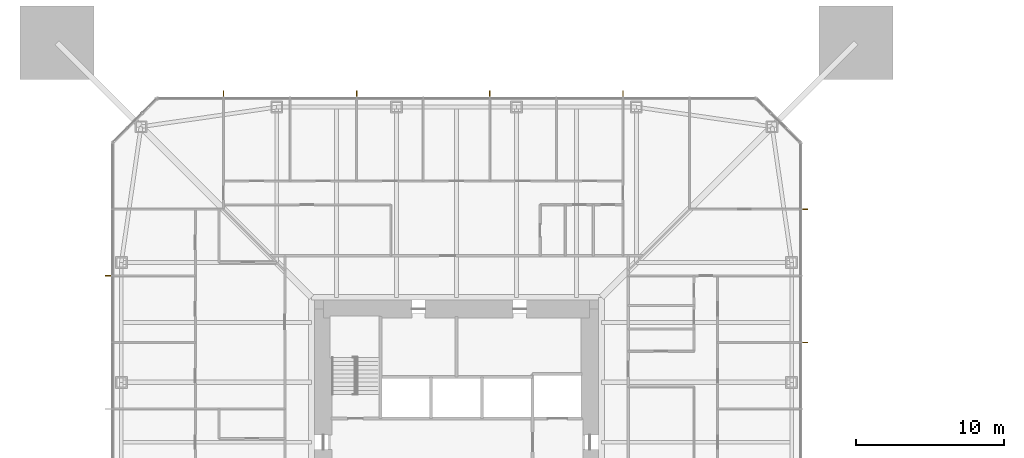
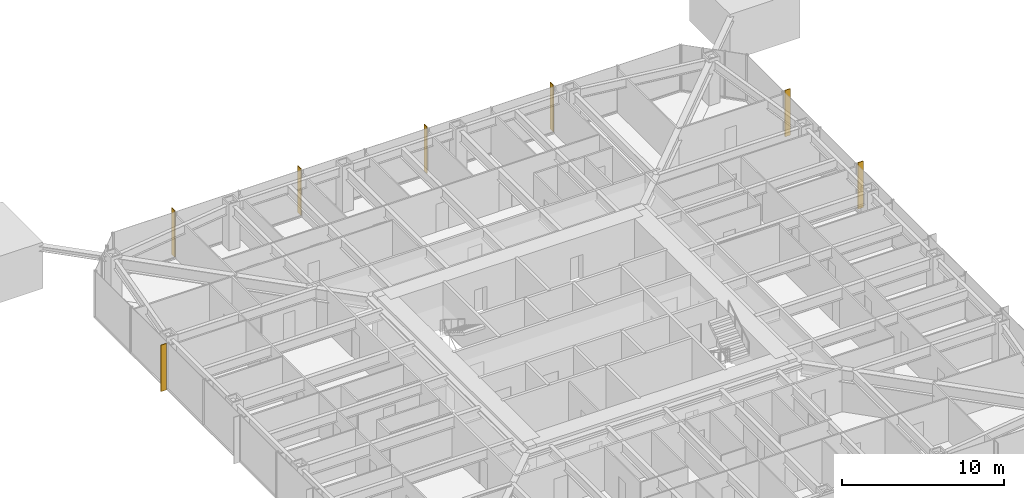
# One storey, part 25 of 26: 7 shading devices.
"""IFC4 building model written with IfcOpenShell, lengths in metres."""

from ifc_helpers import new_model, si_unit, direction, frame, origin, origin_2d, place, context, subcontext, project, spatial, rectangle, extrude, material, layer, layer_set, type_object, element, save


model = new_model("IFC4")

# Units and contexts
model_context = context("Model", 3, precision=1e-05, world=origin(), true_north=direction((0.0, 1.0)))
body_context = subcontext(model_context, "Body", "Model", "MODEL_VIEW")
ifc_project = project(units=[si_unit("LENGTHUNIT", "METRE"), si_unit("AREAUNIT", "SQUARE_METRE"), si_unit("VOLUMEUNIT", "CUBIC_METRE"), si_unit("PLANEANGLEUNIT", "RADIAN"), si_unit("MASSUNIT", "GRAM", prefix="KILO")], contexts=[model_context])

# Site, building, storey
site_placement = place(None, origin())
site = spatial("IfcSite", under=ifc_project, at=site_placement, CompositionType="ELEMENT")
building_placement = place(site_placement, origin())
building = spatial("IfcBuilding", under=site, at=building_placement, Name="Iwan Alto Co-Living Towers", CompositionType="ELEMENT")
storey_placement = place(building_placement, frame((0.0, 0.0, 60.5)))
storey = spatial("IfcBuildingStorey", under=building, at=storey_placement, Name="L16", CompositionType="ELEMENT", Elevation=60.5)

# Shading devices
ifc_material = material(Name="Aluminium 6063-T6 bronze anodised", Category="aluminium")
ifc_layer = layer(ifc_material, 0.050048828125)
ifc_layer_set = layer_set([ifc_layer], Name="BRONZE FIN 50X400")
shading_device_type = type_object("IfcShadingDeviceType", Name="BRONZE FIN 50X400", PredefinedType="USERDEFINED", material=ifc_layer_set)
for number, where, z_axis, x_axis, name in (
    (1, (23.550048828125, 6.75, 0.0), (0.0, 0.0, 1.0), (0.0, 1.0, 0.0), "Bronze fin L16"),
    (2, (23.550048828125, 15.75, 0.0), (0.0, 0.0, 1.0), (0.0, 1.0, 0.0), "Bronze fin L16"),
    (3, (11.25, 23.550048828125, 0.0), (0.0, 0.0, 1.0), (-1.0, 0.0, 0.0), "Bronze fin L16"),
    (4, (2.25, 23.550048828125, 0.0), (0.0, 0.0, 1.0), (-1.0, 0.0, 0.0), "Bronze fin L16"),
    (5, (-6.75, 23.550048828125, 0.0), (0.0, 0.0, 1.0), (-1.0, 0.0, 0.0), "Bronze fin L16"),
    (6, (-15.75, 23.550048828125, 0.0), (0.0, 0.0, 1.0), (-1.0, 0.0, 0.0), "Bronze fin L16"),
    (7, (-23.550048828125, 11.25, 0.0), (0.0, 0.0, 1.0), (0.0, -1.0, 0.0), "Bronze fin L16"),
):
    element("IfcShadingDevice", number, at=place(storey_placement, frame(where, z_axis=z_axis, x_axis=x_axis)), inside=storey, type_object=shading_device_type, Name=name, ObjectType="LOUVER", PredefinedType="USERDEFINED", context=body_context, shape_type="SweptSolid", body=[
        extrude(rectangle(XDim=0.050048828125, YDim=0.39990234375, at=origin_2d()), origin(), (0.0, 0.0, 1.0), 3.5),
    ])

save(model, "model.ifc")
